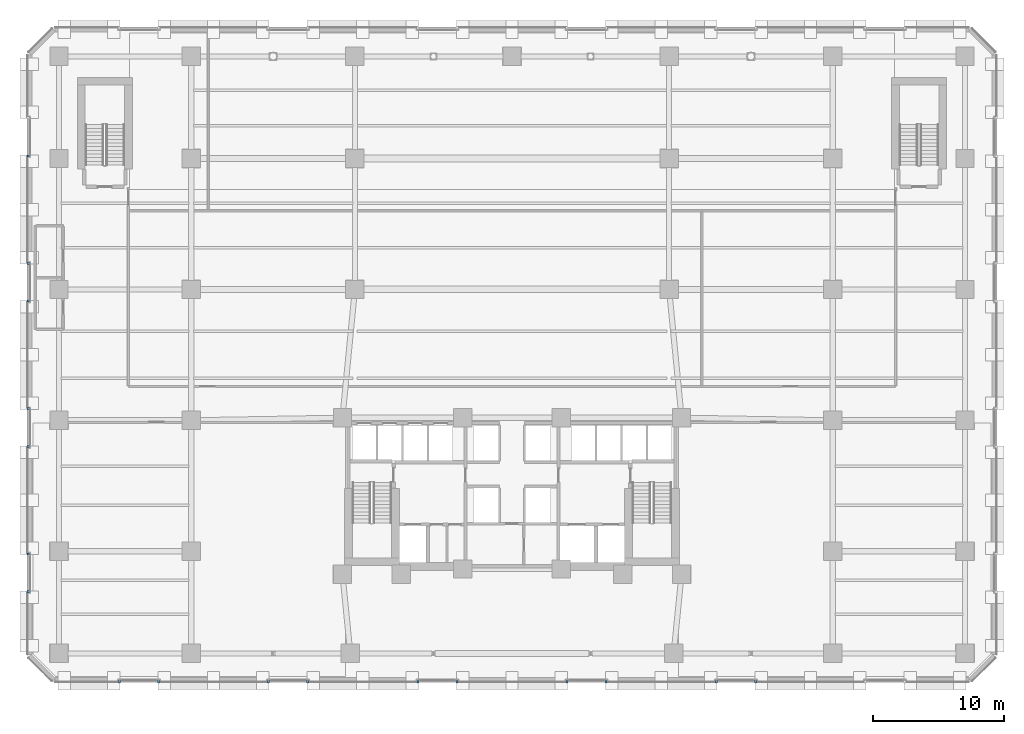
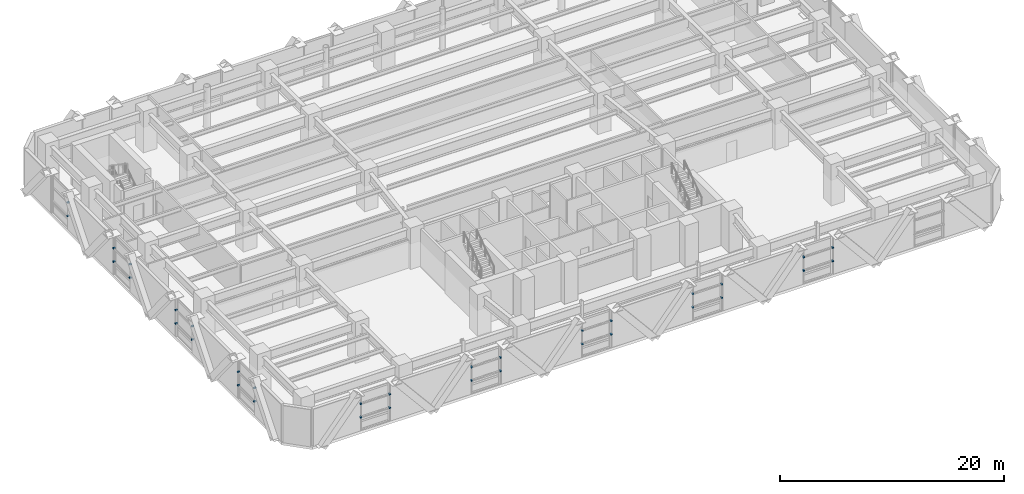
# One storey, part 17 of 26: 34 discrete accessories.
"""IFC4 building model written with IfcOpenShell, lengths in metres."""

from ifc_helpers import new_model, si_unit, direction, frame, origin, origin_2d, place, context, subcontext, project, spatial, rectangle, extrude, material, type_object, element, save


model = new_model("IFC4")

# Units and contexts
model_context = context("Model", 3, precision=1e-05, world=origin(), true_north=direction((0.0, 1.0)))
body_context = subcontext(model_context, "Body", "Model", "MODEL_VIEW")
ifc_project = project(units=[si_unit("LENGTHUNIT", "METRE"), si_unit("AREAUNIT", "SQUARE_METRE"), si_unit("VOLUMEUNIT", "CUBIC_METRE"), si_unit("PLANEANGLEUNIT", "RADIAN"), si_unit("MASSUNIT", "GRAM", prefix="KILO")], contexts=[model_context])

# Site, building, storey
site_placement = place(None, origin())
site = spatial("IfcSite", under=ifc_project, at=site_placement, CompositionType="ELEMENT")
building_placement = place(site_placement, origin())
building = spatial("IfcBuilding", under=site, at=building_placement, Name="Quenlor Broadcast Tower", CompositionType="ELEMENT")
storey_placement = place(building_placement, frame((0.0, 0.0, 18.5)))
storey = spatial("IfcBuildingStorey", under=building, at=storey_placement, Name="L04", CompositionType="ELEMENT", Elevation=18.5)

# Discrete accessories
ifc_material = material(Name="Aluminium 6063-T6", Category="aluminium")
discrete_accessory_type = type_object("IfcDiscreteAccessoryType", Name="Stainless Mullion Baguette Support Bracket", PredefinedType="BRACKET", material=ifc_material)
for number, where, z_axis, x_axis, name in (
    (1, (18.593994140625, -24.93994140625, 1.39892578125), (0.0, 0.0, 1.0), (-1.0, 0.0, 0.0), "L04 Baguette Mullion Bracket 1.1"),
    (2, (15.606201171875, -24.93994140625, 1.39892578125), (0.0, 0.0, 1.0), (-1.0, 0.0, 0.0), "L04 Baguette Mullion Bracket 1.2"),
    (3, (18.593994140625, -24.93994140625, 2.86767578125), (0.0, 0.0, 1.0), (-1.0, 0.0, 0.0), "L04 Baguette Mullion Bracket 2.1"),
    (4, (15.606201171875, -24.93994140625, 2.86767578125), (0.0, 0.0, 1.0), (-1.0, 0.0, 0.0), "L04 Baguette Mullion Bracket 2.2"),
    (5, (7.19384765625, -24.93994140625, 1.39892578125), (0.0, 0.0, 1.0), (-1.0, 0.0, 0.0), "L04 Baguette Mullion Bracket 1.1"),
    (6, (4.2060546875, -24.93994140625, 1.39892578125), (0.0, 0.0, 1.0), (-1.0, 0.0, 0.0), "L04 Baguette Mullion Bracket 1.2"),
    (7, (7.19384765625, -24.93994140625, 2.86767578125), (0.0, 0.0, 1.0), (-1.0, 0.0, 0.0), "L04 Baguette Mullion Bracket 2.1"),
    (8, (4.2060546875, -24.93994140625, 2.86767578125), (0.0, 0.0, 1.0), (-1.0, 0.0, 0.0), "L04 Baguette Mullion Bracket 2.2"),
    (9, (-4.2060546875, -24.93994140625, 1.39892578125), (0.0, 0.0, 1.0), (-1.0, 0.0, 0.0), "L04 Baguette Mullion Bracket 1.1"),
    (10, (-7.19384765625, -24.93994140625, 1.39892578125), (0.0, 0.0, 1.0), (-1.0, 0.0, 0.0), "L04 Baguette Mullion Bracket 1.2"),
    (11, (-4.2060546875, -24.93994140625, 2.86767578125), (0.0, 0.0, 1.0), (-1.0, 0.0, 0.0), "L04 Baguette Mullion Bracket 2.1"),
    (12, (-7.19384765625, -24.93994140625, 2.86767578125), (0.0, 0.0, 1.0), (-1.0, 0.0, 0.0), "L04 Baguette Mullion Bracket 2.2"),
    (13, (-15.606201171875, -24.93994140625, 1.39892578125), (0.0, 0.0, 1.0), (-1.0, 0.0, 0.0), "L04 Baguette Mullion Bracket 1.1"),
    (14, (-18.593994140625, -24.93994140625, 1.39892578125), (0.0, 0.0, 1.0), (-1.0, 0.0, 0.0), "L04 Baguette Mullion Bracket 1.2"),
    (15, (-15.606201171875, -24.93994140625, 2.86767578125), (0.0, 0.0, 1.0), (-1.0, 0.0, 0.0), "L04 Baguette Mullion Bracket 2.1"),
    (16, (-18.593994140625, -24.93994140625, 2.86767578125), (0.0, 0.0, 1.0), (-1.0, 0.0, 0.0), "L04 Baguette Mullion Bracket 2.2"),
    (17, (-27.006103515625, -24.93994140625, 1.39892578125), (0.0, 0.0, 1.0), (-1.0, 0.0, 0.0), "L04 Baguette Mullion Bracket 1.1"),
    (18, (-29.993896484375, -24.93994140625, 1.39892578125), (0.0, 0.0, 1.0), (-1.0, 0.0, 0.0), "L04 Baguette Mullion Bracket 1.2"),
    (19, (-27.006103515625, -24.93994140625, 2.86767578125), (0.0, 0.0, 1.0), (-1.0, 0.0, 0.0), "L04 Baguette Mullion Bracket 2.1"),
    (20, (-29.993896484375, -24.93994140625, 2.86767578125), (0.0, 0.0, 1.0), (-1.0, 0.0, 0.0), "L04 Baguette Mullion Bracket 2.2"),
    (21, (-36.93994140625, -18.093505859375, 1.39892578125), (0.0, 0.0, 1.0), (0.0, 1.0, 0.0), "L04 Baguette Mullion Bracket 1.1"),
    (22, (-36.93994140625, -15.206298828125, 1.39892578125), (0.0, 0.0, 1.0), (0.0, 1.0, 0.0), "L04 Baguette Mullion Bracket 1.2"),
    (23, (-36.93994140625, -18.093505859375, 2.86767578125), (0.0, 0.0, 1.0), (0.0, 1.0, 0.0), "L04 Baguette Mullion Bracket 2.1"),
    (24, (-36.93994140625, -15.206298828125, 2.86767578125), (0.0, 0.0, 1.0), (0.0, 1.0, 0.0), "L04 Baguette Mullion Bracket 2.2"),
    (25, (-36.93994140625, -6.99365234375, 1.39892578125), (0.0, 0.0, 1.0), (0.0, 1.0, 0.0), "L04 Baguette Mullion Bracket 1.1"),
    (26, (-36.93994140625, -4.1064453125, 1.39892578125), (0.0, 0.0, 1.0), (0.0, 1.0, 0.0), "L04 Baguette Mullion Bracket 1.2"),
    (27, (-36.93994140625, -6.99365234375, 2.86767578125), (0.0, 0.0, 1.0), (0.0, 1.0, 0.0), "L04 Baguette Mullion Bracket 2.1"),
    (28, (-36.93994140625, -4.1064453125, 2.86767578125), (0.0, 0.0, 1.0), (0.0, 1.0, 0.0), "L04 Baguette Mullion Bracket 2.2"),
    (29, (-36.93994140625, 4.1064453125, 1.39892578125), (0.0, 0.0, 1.0), (0.0, 1.0, 0.0), "L04 Baguette Mullion Bracket 1.1"),
    (30, (-36.93994140625, 6.99365234375, 1.39892578125), (0.0, 0.0, 1.0), (0.0, 1.0, 0.0), "L04 Baguette Mullion Bracket 1.2"),
    (31, (-36.93994140625, 4.1064453125, 2.86767578125), (0.0, 0.0, 1.0), (0.0, 1.0, 0.0), "L04 Baguette Mullion Bracket 2.1"),
    (32, (-36.93994140625, 6.99365234375, 2.86767578125), (0.0, 0.0, 1.0), (0.0, 1.0, 0.0), "L04 Baguette Mullion Bracket 2.2"),
    (33, (-36.93994140625, 15.206298828125, 1.39892578125), (0.0, 0.0, 1.0), (0.0, 1.0, 0.0), "L04 Baguette Mullion Bracket 1.1"),
    (34, (-36.93994140625, 15.206298828125, 2.86767578125), (0.0, 0.0, 1.0), (0.0, 1.0, 0.0), "L04 Baguette Mullion Bracket 2.1"),
):
    element("IfcDiscreteAccessory", number, at=place(storey_placement, frame(where, z_axis=z_axis, x_axis=x_axis)), inside=storey, type_object=discrete_accessory_type, Name=name, PredefinedType="BRACKET", context=body_context, shape_type="SweptSolid", body=[
        extrude(rectangle(XDim=0.159912109375, YDim=0.239990234375, at=origin_2d()), origin(), (0.0, 0.0, 1.0), 0.139892578125),
    ])

save(model, "model.ifc")
